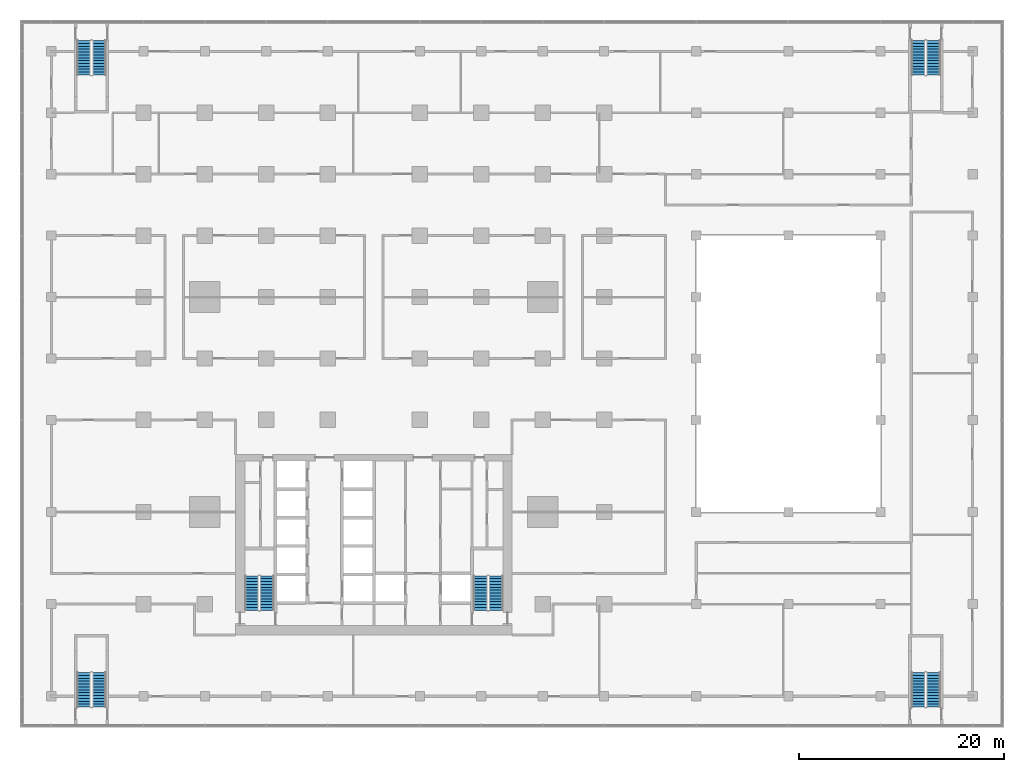
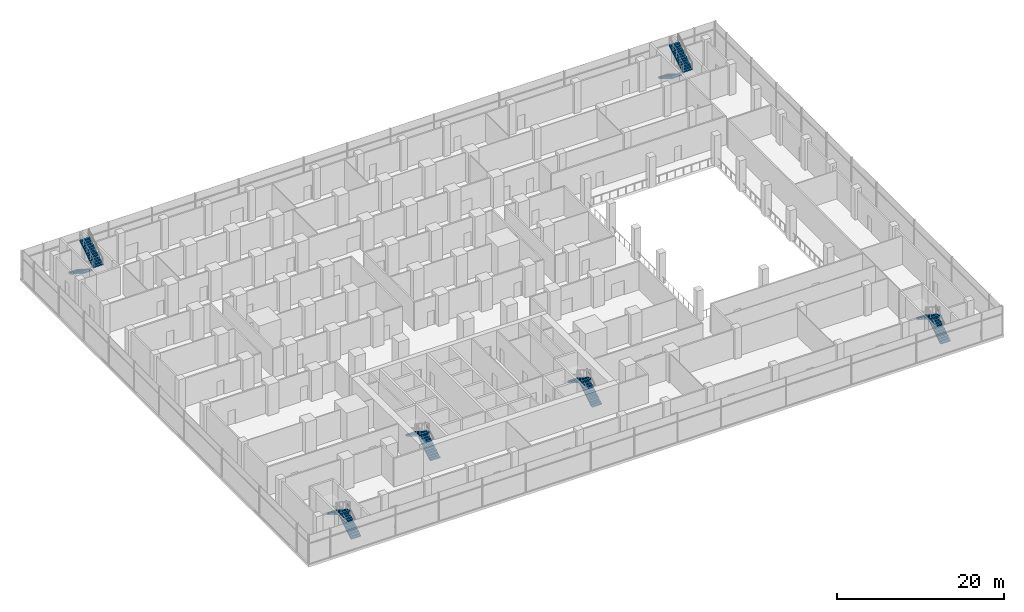
# One storey, part 20 of 22: 12 stair flights, 6 elements without a shape of their own.
"""IFC4 building model written with IfcOpenShell, lengths in metres."""

from ifc_helpers import new_model, si_unit, direction, frame, origin, place, context, subcontext, project, spatial, polyline, outline, extrude, material, type_object, element, aggregate, save


model = new_model("IFC4")

# Units and contexts
model_context = context("Model", 3, precision=1e-05, world=origin(), true_north=direction((0.0, 1.0)))
body_context = subcontext(model_context, "Body", "Model", "MODEL_VIEW")
ifc_project = project(units=[si_unit("LENGTHUNIT", "METRE"), si_unit("AREAUNIT", "SQUARE_METRE"), si_unit("VOLUMEUNIT", "CUBIC_METRE"), si_unit("PLANEANGLEUNIT", "RADIAN"), si_unit("MASSUNIT", "GRAM", prefix="KILO")], contexts=[model_context])

# Site, building, storey
site_placement = place(None, origin())
site = spatial("IfcSite", under=ifc_project, at=site_placement, CompositionType="ELEMENT")
building_placement = place(site_placement, origin())
building = spatial("IfcBuilding", under=site, at=building_placement, Name="Finial Court Residences", CompositionType="ELEMENT")
storey_placement = place(building_placement, frame((0.0, 0.0, 23.5)))
storey = spatial("IfcBuildingStorey", under=building, at=storey_placement, Name="L04", CompositionType="ELEMENT", Elevation=23.5)

# Stair, stair flights
ifc_material = material(Name="Concrete C50/60", Category="concrete")
stair_type = type_object("IfcStairType", Name="Exit stair 26 risers of 173.1 mm", PredefinedType="HALF_TURN_STAIR", material=ifc_material)
stair_1_placement = place(storey_placement, origin())
stair_1 = element("IfcStair", 1, at=stair_1_placement, inside=storey, type_object=stair_type, Name="L04 Exit stair ST-1", PredefinedType="HALF_TURN_STAIR")
stair_flight_type = type_object("IfcStairFlightType", Name="Exit stair flight", PredefinedType="STRAIGHT", material=ifc_material)
stair_flight_1_placement = place(storey_placement, frame((-10.425048828125, -23.10009765625, 0.0), z_axis=(0.0, 0.0, 1.0), x_axis=(0.0, 1.0, 0.0)))
stair_flight_1 = element("IfcStairFlight", 2, at=stair_flight_1_placement, type_object=stair_flight_type, Name="ST-1 flight 1", NumberOfRisers=13, NumberOfTreads=12, PredefinedType="STRAIGHT", RiserHeight=0.173076923, TreadLength=0.28, context=body_context, shape_type="SweptSolid", body=[
    extrude(outline(polyline([(0.0, 0.0), (0.0, 0.173095703125), (0.280029296875, 0.173095703125), (0.280029296875, 0.34619140625), (0.56005859375, 0.34619140625), (0.56005859375, 0.519287109375), (0.840087890625, 0.519287109375), (0.840087890625, 0.6923828125), (1.1201171875, 0.6923828125), (1.1201171875, 0.865478515625), (1.39990234375, 0.865478515625), (1.39990234375, 1.03857421875), (1.679931640625, 1.03857421875), (1.679931640625, 1.21142578125), (1.9599609375, 1.21142578125), (1.9599609375, 1.384521484375), (2.239990234375, 1.384521484375), (2.239990234375, 1.5576171875), (2.52001953125, 1.5576171875), (2.52001953125, 1.730712890625), (2.800048828125, 1.730712890625), (2.800048828125, 1.90380859375), (3.080078125, 1.90380859375), (3.080078125, 2.076904296875), (3.360107421875, 2.076904296875), (3.360107421875, 2.25), (3.360107421875, 1.900634765625), (0.28515625, 0.0), (0.0, 0.0)])), frame((0.0, 0.675048828125, 0.0), z_axis=(0.0, -1.0, 0.0), x_axis=(1.0, 0.0, 0.0)), (0.0, 0.0, 1.0), 1.35009765625),
])
stair_flight_2_placement = place(storey_placement, frame((-11.925048828125, -19.739990234375, 2.25), z_axis=(0.0, 0.0, 1.0), x_axis=(0.0, -1.0, 0.0)))
stair_flight_2 = element("IfcStairFlight", 3, at=stair_flight_2_placement, type_object=stair_flight_type, Name="ST-1 flight 2", NumberOfRisers=13, NumberOfTreads=12, PredefinedType="STRAIGHT", RiserHeight=0.173076923, TreadLength=0.28, context=body_context, shape_type="SweptSolid", body=[
    extrude(outline(polyline([(0.0, 0.0), (0.0, 0.173095703125), (0.280029296875, 0.173095703125), (0.280029296875, 0.34619140625), (0.56005859375, 0.34619140625), (0.56005859375, 0.519287109375), (0.840087890625, 0.519287109375), (0.840087890625, 0.6923828125), (1.1201171875, 0.6923828125), (1.1201171875, 0.865478515625), (1.39990234375, 0.865478515625), (1.39990234375, 1.03857421875), (1.679931640625, 1.03857421875), (1.679931640625, 1.21142578125), (1.9599609375, 1.21142578125), (1.9599609375, 1.384521484375), (2.239990234375, 1.384521484375), (2.239990234375, 1.5576171875), (2.52001953125, 1.5576171875), (2.52001953125, 1.730712890625), (2.800048828125, 1.730712890625), (2.800048828125, 1.90380859375), (3.080078125, 1.90380859375), (3.080078125, 2.076904296875), (3.360107421875, 2.076904296875), (3.360107421875, 2.25), (3.360107421875, 1.900634765625), (0.28515625, 0.0), (0.0, 0.0)])), frame((0.0, 0.675048828125, 0.0), z_axis=(0.0, -1.0, 0.0), x_axis=(1.0, 0.0, 0.0)), (0.0, 0.0, 1.0), 1.35009765625),
])
aggregate(stair_1, [stair_flight_1, stair_flight_2])

stair_2_placement = place(storey_placement, origin())
stair_2 = element("IfcStair", 4, at=stair_2_placement, inside=storey, type_object=stair_type, Name="L04 Exit stair ST-2", PredefinedType="HALF_TURN_STAIR")
stair_flight_3_placement = place(storey_placement, frame((11.925048828125, -23.10009765625, 0.0), z_axis=(0.0, 0.0, 1.0), x_axis=(0.0, 1.0, 0.0)))
stair_flight_3 = element("IfcStairFlight", 5, at=stair_flight_3_placement, type_object=stair_flight_type, Name="ST-2 flight 1", NumberOfRisers=13, NumberOfTreads=12, PredefinedType="STRAIGHT", RiserHeight=0.173076923, TreadLength=0.28, context=body_context, shape_type="SweptSolid", body=[
    extrude(outline(polyline([(0.0, 0.0), (0.0, 0.173095703125), (0.280029296875, 0.173095703125), (0.280029296875, 0.34619140625), (0.56005859375, 0.34619140625), (0.56005859375, 0.519287109375), (0.840087890625, 0.519287109375), (0.840087890625, 0.6923828125), (1.1201171875, 0.6923828125), (1.1201171875, 0.865478515625), (1.39990234375, 0.865478515625), (1.39990234375, 1.03857421875), (1.679931640625, 1.03857421875), (1.679931640625, 1.21142578125), (1.9599609375, 1.21142578125), (1.9599609375, 1.384521484375), (2.239990234375, 1.384521484375), (2.239990234375, 1.5576171875), (2.52001953125, 1.5576171875), (2.52001953125, 1.730712890625), (2.800048828125, 1.730712890625), (2.800048828125, 1.90380859375), (3.080078125, 1.90380859375), (3.080078125, 2.076904296875), (3.360107421875, 2.076904296875), (3.360107421875, 2.25), (3.360107421875, 1.900634765625), (0.28515625, 0.0), (0.0, 0.0)])), frame((0.0, 0.675048828125, 0.0), z_axis=(0.0, -1.0, 0.0), x_axis=(1.0, 0.0, 0.0)), (0.0, 0.0, 1.0), 1.35009765625),
])
stair_flight_4_placement = place(storey_placement, frame((10.425048828125, -19.739990234375, 2.25), z_axis=(0.0, 0.0, 1.0), x_axis=(0.0, -1.0, 0.0)))
stair_flight_4 = element("IfcStairFlight", 6, at=stair_flight_4_placement, type_object=stair_flight_type, Name="ST-2 flight 2", NumberOfRisers=13, NumberOfTreads=12, PredefinedType="STRAIGHT", RiserHeight=0.173076923, TreadLength=0.28, context=body_context, shape_type="SweptSolid", body=[
    extrude(outline(polyline([(0.0, 0.0), (0.0, 0.173095703125), (0.280029296875, 0.173095703125), (0.280029296875, 0.34619140625), (0.56005859375, 0.34619140625), (0.56005859375, 0.519287109375), (0.840087890625, 0.519287109375), (0.840087890625, 0.6923828125), (1.1201171875, 0.6923828125), (1.1201171875, 0.865478515625), (1.39990234375, 0.865478515625), (1.39990234375, 1.03857421875), (1.679931640625, 1.03857421875), (1.679931640625, 1.21142578125), (1.9599609375, 1.21142578125), (1.9599609375, 1.384521484375), (2.239990234375, 1.384521484375), (2.239990234375, 1.5576171875), (2.52001953125, 1.5576171875), (2.52001953125, 1.730712890625), (2.800048828125, 1.730712890625), (2.800048828125, 1.90380859375), (3.080078125, 1.90380859375), (3.080078125, 2.076904296875), (3.360107421875, 2.076904296875), (3.360107421875, 2.25), (3.360107421875, 1.900634765625), (0.28515625, 0.0), (0.0, 0.0)])), frame((0.0, 0.675048828125, 0.0), z_axis=(0.0, -1.0, 0.0), x_axis=(1.0, 0.0, 0.0)), (0.0, 0.0, 1.0), 1.35009765625),
])
aggregate(stair_2, [stair_flight_3, stair_flight_4])

stair_3_placement = place(storey_placement, origin())
stair_3 = element("IfcStair", 7, at=stair_3_placement, inside=storey, type_object=stair_type, Name="L04 Exit Stair 3", PredefinedType="HALF_TURN_STAIR")
stair_flight_5_placement = place(storey_placement, frame((54.675048828125, -32.550048828125, 0.0), z_axis=(0.0, 0.0, 1.0), x_axis=(0.0, 1.0, 0.0)))
stair_flight_5 = element("IfcStairFlight", 8, at=stair_flight_5_placement, type_object=stair_flight_type, Name="ST-3 flight 1", NumberOfRisers=13, NumberOfTreads=12, PredefinedType="STRAIGHT", RiserHeight=0.173076923, TreadLength=0.28, context=body_context, shape_type="SweptSolid", body=[
    extrude(outline(polyline([(0.0, 0.0), (0.0, 0.173095703125), (0.280029296875, 0.173095703125), (0.280029296875, 0.34619140625), (0.56005859375, 0.34619140625), (0.56005859375, 0.519287109375), (0.840087890625, 0.519287109375), (0.840087890625, 0.6923828125), (1.1201171875, 0.6923828125), (1.1201171875, 0.865478515625), (1.39990234375, 0.865478515625), (1.39990234375, 1.03857421875), (1.679931640625, 1.03857421875), (1.679931640625, 1.21142578125), (1.9599609375, 1.21142578125), (1.9599609375, 1.384521484375), (2.239990234375, 1.384521484375), (2.239990234375, 1.5576171875), (2.52001953125, 1.5576171875), (2.52001953125, 1.730712890625), (2.800048828125, 1.730712890625), (2.800048828125, 1.90380859375), (3.080078125, 1.90380859375), (3.080078125, 2.076904296875), (3.360107421875, 2.076904296875), (3.360107421875, 2.25), (3.360107421875, 1.900634765625), (0.28515625, 0.0), (0.0, 0.0)])), frame((0.0, 0.675048828125, 0.0), z_axis=(0.0, -1.0, 0.0), x_axis=(1.0, 0.0, 0.0)), (0.0, 0.0, 1.0), 1.35009765625),
])
stair_flight_6_placement = place(storey_placement, frame((53.175048828125, -29.18994140625, 2.25), z_axis=(0.0, 0.0, 1.0), x_axis=(0.0, -1.0, 0.0)))
stair_flight_6 = element("IfcStairFlight", 9, at=stair_flight_6_placement, type_object=stair_flight_type, Name="ST-3 flight 2", NumberOfRisers=13, NumberOfTreads=12, PredefinedType="STRAIGHT", RiserHeight=0.173076923, TreadLength=0.28, context=body_context, shape_type="SweptSolid", body=[
    extrude(outline(polyline([(0.0, 0.0), (0.0, 0.173095703125), (0.280029296875, 0.173095703125), (0.280029296875, 0.34619140625), (0.56005859375, 0.34619140625), (0.56005859375, 0.519287109375), (0.840087890625, 0.519287109375), (0.840087890625, 0.6923828125), (1.1201171875, 0.6923828125), (1.1201171875, 0.865478515625), (1.39990234375, 0.865478515625), (1.39990234375, 1.03857421875), (1.679931640625, 1.03857421875), (1.679931640625, 1.21142578125), (1.9599609375, 1.21142578125), (1.9599609375, 1.384521484375), (2.239990234375, 1.384521484375), (2.239990234375, 1.5576171875), (2.52001953125, 1.5576171875), (2.52001953125, 1.730712890625), (2.800048828125, 1.730712890625), (2.800048828125, 1.90380859375), (3.080078125, 1.90380859375), (3.080078125, 2.076904296875), (3.360107421875, 2.076904296875), (3.360107421875, 2.25), (3.360107421875, 1.900634765625), (0.28515625, 0.0), (0.0, 0.0)])), frame((0.0, 0.675048828125, 0.0), z_axis=(0.0, -1.0, 0.0), x_axis=(1.0, 0.0, 0.0)), (0.0, 0.0, 1.0), 1.35009765625),
])
aggregate(stair_3, [stair_flight_5, stair_flight_6])

stair_4_placement = place(storey_placement, origin())
stair_4 = element("IfcStair", 10, at=stair_4_placement, inside=storey, type_object=stair_type, Name="L04 Exit Stair 4", PredefinedType="HALF_TURN_STAIR")
stair_flight_7_placement = place(storey_placement, frame((-26.824951171875, -32.550048828125, 0.0), z_axis=(0.0, 0.0, 1.0), x_axis=(0.0, 1.0, 0.0)))
stair_flight_7 = element("IfcStairFlight", 11, at=stair_flight_7_placement, type_object=stair_flight_type, Name="ST-4 flight 1", NumberOfRisers=13, NumberOfTreads=12, PredefinedType="STRAIGHT", RiserHeight=0.173076923, TreadLength=0.28, context=body_context, shape_type="SweptSolid", body=[
    extrude(outline(polyline([(0.0, 0.0), (0.0, 0.173095703125), (0.280029296875, 0.173095703125), (0.280029296875, 0.34619140625), (0.56005859375, 0.34619140625), (0.56005859375, 0.519287109375), (0.840087890625, 0.519287109375), (0.840087890625, 0.6923828125), (1.1201171875, 0.6923828125), (1.1201171875, 0.865478515625), (1.39990234375, 0.865478515625), (1.39990234375, 1.03857421875), (1.679931640625, 1.03857421875), (1.679931640625, 1.21142578125), (1.9599609375, 1.21142578125), (1.9599609375, 1.384521484375), (2.239990234375, 1.384521484375), (2.239990234375, 1.5576171875), (2.52001953125, 1.5576171875), (2.52001953125, 1.730712890625), (2.800048828125, 1.730712890625), (2.800048828125, 1.90380859375), (3.080078125, 1.90380859375), (3.080078125, 2.076904296875), (3.360107421875, 2.076904296875), (3.360107421875, 2.25), (3.360107421875, 1.900634765625), (0.28515625, 0.0), (0.0, 0.0)])), frame((0.0, 0.675048828125, 0.0), z_axis=(0.0, -1.0, 0.0), x_axis=(1.0, 0.0, 0.0)), (0.0, 0.0, 1.0), 1.35009765625),
])
stair_flight_8_placement = place(storey_placement, frame((-28.324951171875, -29.18994140625, 2.25), z_axis=(0.0, 0.0, 1.0), x_axis=(0.0, -1.0, 0.0)))
stair_flight_8 = element("IfcStairFlight", 12, at=stair_flight_8_placement, type_object=stair_flight_type, Name="ST-4 flight 2", NumberOfRisers=13, NumberOfTreads=12, PredefinedType="STRAIGHT", RiserHeight=0.173076923, TreadLength=0.28, context=body_context, shape_type="SweptSolid", body=[
    extrude(outline(polyline([(0.0, 0.0), (0.0, 0.173095703125), (0.280029296875, 0.173095703125), (0.280029296875, 0.34619140625), (0.56005859375, 0.34619140625), (0.56005859375, 0.519287109375), (0.840087890625, 0.519287109375), (0.840087890625, 0.6923828125), (1.1201171875, 0.6923828125), (1.1201171875, 0.865478515625), (1.39990234375, 0.865478515625), (1.39990234375, 1.03857421875), (1.679931640625, 1.03857421875), (1.679931640625, 1.21142578125), (1.9599609375, 1.21142578125), (1.9599609375, 1.384521484375), (2.239990234375, 1.384521484375), (2.239990234375, 1.5576171875), (2.52001953125, 1.5576171875), (2.52001953125, 1.730712890625), (2.800048828125, 1.730712890625), (2.800048828125, 1.90380859375), (3.080078125, 1.90380859375), (3.080078125, 2.076904296875), (3.360107421875, 2.076904296875), (3.360107421875, 2.25), (3.360107421875, 1.900634765625), (0.28515625, 0.0), (0.0, 0.0)])), frame((0.0, 0.675048828125, 0.0), z_axis=(0.0, -1.0, 0.0), x_axis=(1.0, 0.0, 0.0)), (0.0, 0.0, 1.0), 1.35009765625),
])
aggregate(stair_4, [stair_flight_7, stair_flight_8])

stair_5_placement = place(storey_placement, origin())
stair_5 = element("IfcStair", 13, at=stair_5_placement, inside=storey, type_object=stair_type, Name="L04 Exit Stair 5", PredefinedType="HALF_TURN_STAIR")
stair_flight_9_placement = place(storey_placement, frame((53.175048828125, 32.550048828125, 0.0), z_axis=(0.0, 0.0, 1.0), x_axis=(0.0, -1.0, 0.0)))
stair_flight_9 = element("IfcStairFlight", 14, at=stair_flight_9_placement, type_object=stair_flight_type, Name="ST-5 flight 1", NumberOfRisers=13, NumberOfTreads=12, PredefinedType="STRAIGHT", RiserHeight=0.173076923, TreadLength=0.28, context=body_context, shape_type="SweptSolid", body=[
    extrude(outline(polyline([(0.0, 0.0), (0.0, 0.173095703125), (0.280029296875, 0.173095703125), (0.280029296875, 0.34619140625), (0.56005859375, 0.34619140625), (0.56005859375, 0.519287109375), (0.840087890625, 0.519287109375), (0.840087890625, 0.6923828125), (1.1201171875, 0.6923828125), (1.1201171875, 0.865478515625), (1.39990234375, 0.865478515625), (1.39990234375, 1.03857421875), (1.679931640625, 1.03857421875), (1.679931640625, 1.21142578125), (1.9599609375, 1.21142578125), (1.9599609375, 1.384521484375), (2.239990234375, 1.384521484375), (2.239990234375, 1.5576171875), (2.52001953125, 1.5576171875), (2.52001953125, 1.730712890625), (2.800048828125, 1.730712890625), (2.800048828125, 1.90380859375), (3.080078125, 1.90380859375), (3.080078125, 2.076904296875), (3.360107421875, 2.076904296875), (3.360107421875, 2.25), (3.360107421875, 1.900634765625), (0.28515625, 0.0), (0.0, 0.0)])), frame((0.0, 0.675048828125, 0.0), z_axis=(0.0, -1.0, 0.0), x_axis=(1.0, 0.0, 0.0)), (0.0, 0.0, 1.0), 1.35009765625),
])
stair_flight_10_placement = place(storey_placement, frame((54.675048828125, 29.18994140625, 2.25), z_axis=(0.0, 0.0, 1.0), x_axis=(0.0, 1.0, 0.0)))
stair_flight_10 = element("IfcStairFlight", 15, at=stair_flight_10_placement, type_object=stair_flight_type, Name="ST-5 flight 2", NumberOfRisers=13, NumberOfTreads=12, PredefinedType="STRAIGHT", RiserHeight=0.173076923, TreadLength=0.28, context=body_context, shape_type="SweptSolid", body=[
    extrude(outline(polyline([(0.0, 0.0), (0.0, 0.173095703125), (0.280029296875, 0.173095703125), (0.280029296875, 0.34619140625), (0.56005859375, 0.34619140625), (0.56005859375, 0.519287109375), (0.840087890625, 0.519287109375), (0.840087890625, 0.6923828125), (1.1201171875, 0.6923828125), (1.1201171875, 0.865478515625), (1.39990234375, 0.865478515625), (1.39990234375, 1.03857421875), (1.679931640625, 1.03857421875), (1.679931640625, 1.21142578125), (1.9599609375, 1.21142578125), (1.9599609375, 1.384521484375), (2.239990234375, 1.384521484375), (2.239990234375, 1.5576171875), (2.52001953125, 1.5576171875), (2.52001953125, 1.730712890625), (2.800048828125, 1.730712890625), (2.800048828125, 1.90380859375), (3.080078125, 1.90380859375), (3.080078125, 2.076904296875), (3.360107421875, 2.076904296875), (3.360107421875, 2.25), (3.360107421875, 1.900634765625), (0.28515625, 0.0), (0.0, 0.0)])), frame((0.0, 0.675048828125, 0.0), z_axis=(0.0, -1.0, 0.0), x_axis=(1.0, 0.0, 0.0)), (0.0, 0.0, 1.0), 1.35009765625),
])
aggregate(stair_5, [stair_flight_9, stair_flight_10])

stair_6_placement = place(storey_placement, origin())
stair_6 = element("IfcStair", 16, at=stair_6_placement, inside=storey, type_object=stair_type, Name="L04 Exit Stair 6", PredefinedType="HALF_TURN_STAIR")
stair_flight_11_placement = place(storey_placement, frame((-28.324951171875, 32.550048828125, 0.0), z_axis=(0.0, 0.0, 1.0), x_axis=(0.0, -1.0, 0.0)))
stair_flight_11 = element("IfcStairFlight", 17, at=stair_flight_11_placement, type_object=stair_flight_type, Name="ST-6 flight 1", NumberOfRisers=13, NumberOfTreads=12, PredefinedType="STRAIGHT", RiserHeight=0.173076923, TreadLength=0.28, context=body_context, shape_type="SweptSolid", body=[
    extrude(outline(polyline([(0.0, 0.0), (0.0, 0.173095703125), (0.280029296875, 0.173095703125), (0.280029296875, 0.34619140625), (0.56005859375, 0.34619140625), (0.56005859375, 0.519287109375), (0.840087890625, 0.519287109375), (0.840087890625, 0.6923828125), (1.1201171875, 0.6923828125), (1.1201171875, 0.865478515625), (1.39990234375, 0.865478515625), (1.39990234375, 1.03857421875), (1.679931640625, 1.03857421875), (1.679931640625, 1.21142578125), (1.9599609375, 1.21142578125), (1.9599609375, 1.384521484375), (2.239990234375, 1.384521484375), (2.239990234375, 1.5576171875), (2.52001953125, 1.5576171875), (2.52001953125, 1.730712890625), (2.800048828125, 1.730712890625), (2.800048828125, 1.90380859375), (3.080078125, 1.90380859375), (3.080078125, 2.076904296875), (3.360107421875, 2.076904296875), (3.360107421875, 2.25), (3.360107421875, 1.900634765625), (0.28515625, 0.0), (0.0, 0.0)])), frame((0.0, 0.675048828125, 0.0), z_axis=(0.0, -1.0, 0.0), x_axis=(1.0, 0.0, 0.0)), (0.0, 0.0, 1.0), 1.35009765625),
])
stair_flight_12_placement = place(storey_placement, frame((-26.824951171875, 29.18994140625, 2.25), z_axis=(0.0, 0.0, 1.0), x_axis=(0.0, 1.0, 0.0)))
stair_flight_12 = element("IfcStairFlight", 18, at=stair_flight_12_placement, type_object=stair_flight_type, Name="ST-6 flight 2", NumberOfRisers=13, NumberOfTreads=12, PredefinedType="STRAIGHT", RiserHeight=0.173076923, TreadLength=0.28, context=body_context, shape_type="SweptSolid", body=[
    extrude(outline(polyline([(0.0, 0.0), (0.0, 0.173095703125), (0.280029296875, 0.173095703125), (0.280029296875, 0.34619140625), (0.56005859375, 0.34619140625), (0.56005859375, 0.519287109375), (0.840087890625, 0.519287109375), (0.840087890625, 0.6923828125), (1.1201171875, 0.6923828125), (1.1201171875, 0.865478515625), (1.39990234375, 0.865478515625), (1.39990234375, 1.03857421875), (1.679931640625, 1.03857421875), (1.679931640625, 1.21142578125), (1.9599609375, 1.21142578125), (1.9599609375, 1.384521484375), (2.239990234375, 1.384521484375), (2.239990234375, 1.5576171875), (2.52001953125, 1.5576171875), (2.52001953125, 1.730712890625), (2.800048828125, 1.730712890625), (2.800048828125, 1.90380859375), (3.080078125, 1.90380859375), (3.080078125, 2.076904296875), (3.360107421875, 2.076904296875), (3.360107421875, 2.25), (3.360107421875, 1.900634765625), (0.28515625, 0.0), (0.0, 0.0)])), frame((0.0, 0.675048828125, 0.0), z_axis=(0.0, -1.0, 0.0), x_axis=(1.0, 0.0, 0.0)), (0.0, 0.0, 1.0), 1.35009765625),
])
aggregate(stair_6, [stair_flight_11, stair_flight_12])

save(model, "model.ifc")
